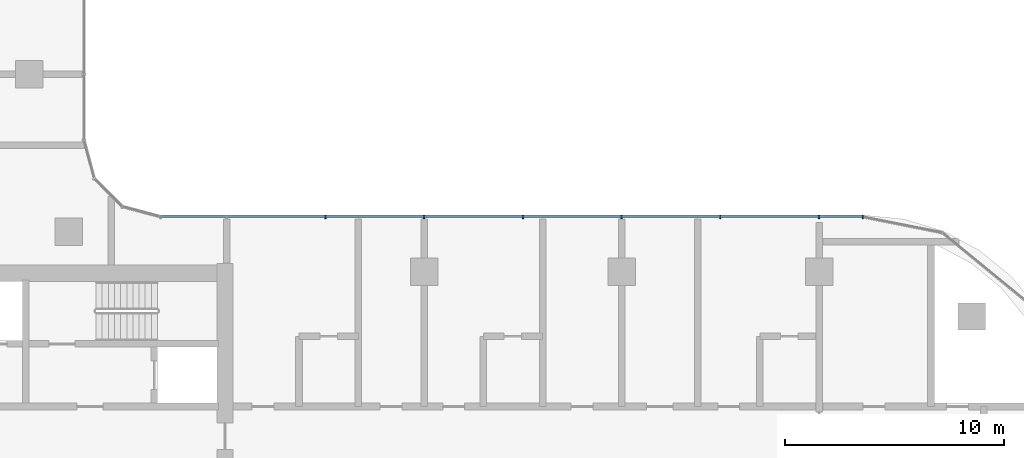
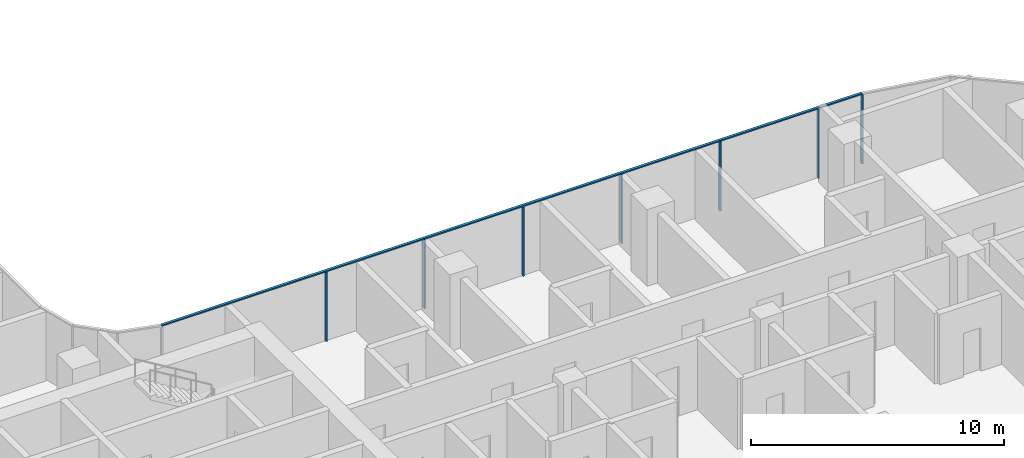
# One storey, part 4 of 23: 8 members, 1 element without a shape of its own.
"""IFC4 building model written with IfcOpenShell, lengths in metres."""

from ifc_helpers import new_model, si_unit, direction, frame, origin, origin_2d, place, context, subcontext, project, spatial, rectangle, extrude, material, material_profile, profile_set, type_object, element, aggregate, save


model = new_model("IFC4")

# Units and contexts
model_context = context("Model", 3, precision=1e-05, world=origin(), true_north=direction((0.0, 1.0)))
body_context = subcontext(model_context, "Body", "Model", "MODEL_VIEW")
ifc_project = project(units=[si_unit("LENGTHUNIT", "METRE"), si_unit("AREAUNIT", "SQUARE_METRE"), si_unit("VOLUMEUNIT", "CUBIC_METRE"), si_unit("PLANEANGLEUNIT", "RADIAN"), si_unit("MASSUNIT", "GRAM", prefix="KILO")], contexts=[model_context])

# Site, building, storey
site_placement = place(None, origin())
site = spatial("IfcSite", under=ifc_project, at=site_placement, CompositionType="ELEMENT")
building_placement = place(site_placement, origin())
building = spatial("IfcBuilding", under=site, at=building_placement, Name="Ogive Portal Towers", CompositionType="ELEMENT")
storey_placement = place(building_placement, frame((0.0, 0.0, 120.39990234375)))
storey = spatial("IfcBuildingStorey", under=building, at=storey_placement, Name="L29", CompositionType="ELEMENT", Elevation=120.39990234375)

# Curtain wall, members
ifc_material_1 = material(Name="Glass, clear low-iron insulated glazing", Category="glass")
curtain_wall_type = type_object("IfcCurtainWallType", Name="CW FRONT RIBBON 4500", PredefinedType="NOTDEFINED", material=ifc_material_1)
curtain_wall_placement = place(storey_placement, origin())
curtain_wall = element("IfcCurtainWall", 1, at=curtain_wall_placement, inside=storey, type_object=curtain_wall_type, Name="A:L29:f16:cw0", PredefinedType="NOTDEFINED")
ifc_material_2 = material(Name="Aluminium 6063 anodised", Category="aluminium")
ifc_material_profile_1 = material_profile(ifc_material_2, rectangle(XDim=0.159912109375, YDim=0.06005859375, at=origin_2d()), Name="AL 60x160")
ifc_profile_set_1 = profile_set([ifc_material_profile_1], Name="Aluminium 6063 anodised")
member_type_1 = type_object("IfcMemberType", Name="CW MULLION 60x160", PredefinedType="MULLION", material=ifc_profile_set_1)
member_1_placement = place(storey_placement, frame((87.4921875, 41.9951171875, 0.0), z_axis=(0.0, 0.0, 1.0), x_axis=(0.0, -1.0, 0.0)))
member_1 = element("IfcMember", 2, at=member_1_placement, type_object=member_type_1, Name="mullion", PredefinedType="MULLION", context=body_context, shape_type="SweptSolid", body=[
    extrude(rectangle(XDim=0.159912109375, YDim=0.06005859375, at=origin_2d()), origin(), (0.0, 0.0, 1.0), 3.340087890625),
])
member_2_placement = place(storey_placement, frame((85.5, 41.9951171875, 0.0), z_axis=(0.0, 0.0, 1.0), x_axis=(0.0, -1.0, 0.0)))
member_2 = element("IfcMember", 3, at=member_2_placement, type_object=member_type_1, Name="mullion", PredefinedType="MULLION", context=body_context, shape_type="SweptSolid", body=[
    extrude(rectangle(XDim=0.159912109375, YDim=0.06005859375, at=origin_2d()), origin(), (0.0, 0.0, 1.0), 3.340087890625),
])
member_3_placement = place(storey_placement, frame((81.0, 41.9951171875, 0.0), z_axis=(0.0, 0.0, 1.0), x_axis=(0.0, -1.0, 0.0)))
member_3 = element("IfcMember", 4, at=member_3_placement, type_object=member_type_1, Name="mullion", PredefinedType="MULLION", context=body_context, shape_type="SweptSolid", body=[
    extrude(rectangle(XDim=0.159912109375, YDim=0.06005859375, at=origin_2d()), origin(), (0.0, 0.0, 1.0), 3.340087890625),
])
member_4_placement = place(storey_placement, frame((76.5, 41.9951171875, 0.0), z_axis=(0.0, 0.0, 1.0), x_axis=(0.0, -1.0, 0.0)))
member_4 = element("IfcMember", 5, at=member_4_placement, type_object=member_type_1, Name="mullion", PredefinedType="MULLION", context=body_context, shape_type="SweptSolid", body=[
    extrude(rectangle(XDim=0.159912109375, YDim=0.06005859375, at=origin_2d()), origin(), (0.0, 0.0, 1.0), 3.340087890625),
])
member_5_placement = place(storey_placement, frame((72.0, 41.9951171875, 0.0), z_axis=(0.0, 0.0, 1.0), x_axis=(0.0, -1.0, 0.0)))
member_5 = element("IfcMember", 6, at=member_5_placement, type_object=member_type_1, Name="mullion", PredefinedType="MULLION", context=body_context, shape_type="SweptSolid", body=[
    extrude(rectangle(XDim=0.159912109375, YDim=0.06005859375, at=origin_2d()), origin(), (0.0, 0.0, 1.0), 3.340087890625),
])
member_6_placement = place(storey_placement, frame((67.5, 41.9951171875, 0.0), z_axis=(0.0, 0.0, 1.0), x_axis=(0.0, -1.0, 0.0)))
member_6 = element("IfcMember", 7, at=member_6_placement, type_object=member_type_1, Name="mullion", PredefinedType="MULLION", context=body_context, shape_type="SweptSolid", body=[
    extrude(rectangle(XDim=0.159912109375, YDim=0.06005859375, at=origin_2d()), origin(), (0.0, 0.0, 1.0), 3.340087890625),
])
member_7_placement = place(storey_placement, frame((63.0, 41.9951171875, 0.0), z_axis=(0.0, 0.0, 1.0), x_axis=(0.0, -1.0, 0.0)))
member_7 = element("IfcMember", 8, at=member_7_placement, type_object=member_type_1, Name="mullion", PredefinedType="MULLION", context=body_context, shape_type="SweptSolid", body=[
    extrude(rectangle(XDim=0.159912109375, YDim=0.06005859375, at=origin_2d()), origin(), (0.0, 0.0, 1.0), 3.340087890625),
])
ifc_material_profile_2 = material_profile(ifc_material_2, rectangle(XDim=0.1201171875, YDim=0.06005859375, at=origin_2d()), Name="AL 120x60")
ifc_profile_set_2 = profile_set([ifc_material_profile_2], Name="Aluminium 6063 anodised")
member_type_2 = type_object("IfcMemberType", Name="CW TRANSOM 60x120", PredefinedType="USERDEFINED", material=ifc_profile_set_2)
member_8_placement = place(storey_placement, frame((87.4921875, 41.9951171875, 3.3701171875), z_axis=(-1.0, 0.0, 0.0), x_axis=(0.0, -1.0, 0.0)))
member_8 = element("IfcMember", 9, at=member_8_placement, type_object=member_type_2, Name="transom", ObjectType="TRANSOM", PredefinedType="USERDEFINED", context=body_context, shape_type="SweptSolid", body=[
    extrude(rectangle(XDim=0.1201171875, YDim=0.06005859375, at=origin_2d()), origin(), (0.0, 0.0, 1.0), 32.002685546875),
])
aggregate(curtain_wall, [member_8, member_1, member_2, member_3, member_4, member_5, member_6, member_7])

save(model, "model.ifc")
